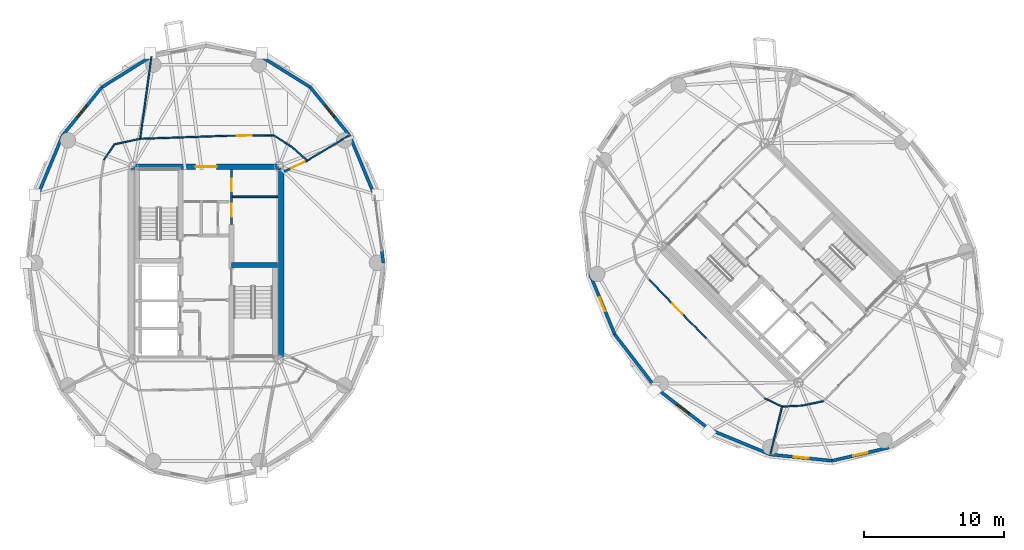
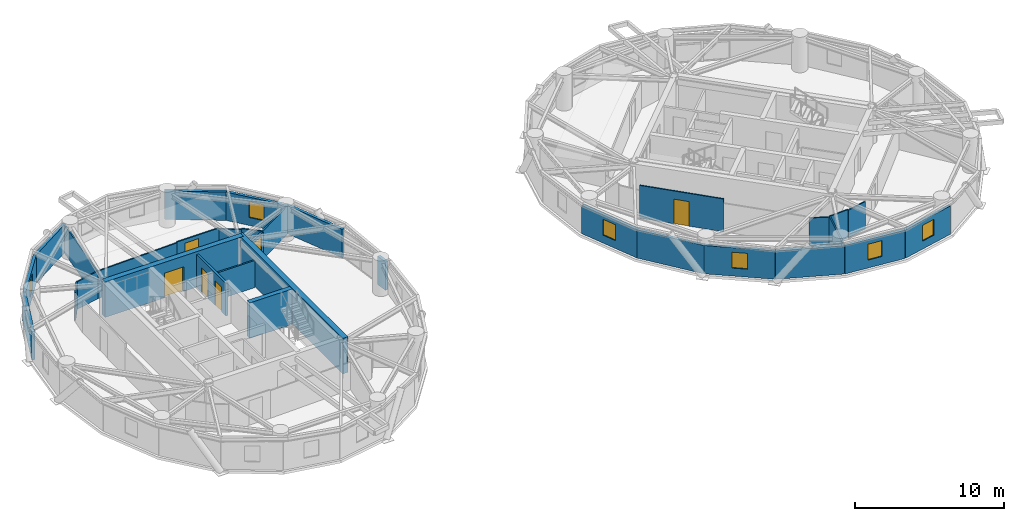
# One storey, part 9 of 14: 32 walls, 6 doors, 6 windows, 12 openings.
"""IFC4 building model written with IfcOpenShell, lengths in metres."""

from ifc_helpers import new_model, si_unit, direction, frame, frame_2d, origin, place, context, subcontext, project, spatial, rectangle, extrude, source, transform, mapped, material, layer, layer_set, type_object, element, fill, save


model = new_model("IFC4")

# Units and contexts
model_context = context("Model", 3, precision=1e-05, world=origin(), true_north=direction((0.0, 1.0)))
body_context = subcontext(model_context, "Body", "Model", "MODEL_VIEW")
ifc_project = project(units=[si_unit("LENGTHUNIT", "METRE"), si_unit("AREAUNIT", "SQUARE_METRE"), si_unit("VOLUMEUNIT", "CUBIC_METRE"), si_unit("PLANEANGLEUNIT", "RADIAN"), si_unit("MASSUNIT", "GRAM", prefix="KILO")], contexts=[model_context])

# Site, building, storey
site_placement = place(None, origin())
site = spatial("IfcSite", under=ifc_project, at=site_placement, CompositionType="ELEMENT")
building_placement = place(site_placement, origin())
building = spatial("IfcBuilding", under=site, at=building_placement, Name="Cununo Teusaquillo Station Towers", CompositionType="ELEMENT")
storey_placement = place(building_placement, frame((0.0, 0.0, 202.47998046875)))
storey = spatial("IfcBuildingStorey", under=building, at=storey_placement, Name="L64", CompositionType="ELEMENT", Elevation=202.47998046875)

# Walls
ifc_material_1 = material(Name="Concrete C50/60", Category="concrete")
ifc_layer_1 = layer(ifc_material_1, 0.35009765625)
ifc_layer_set_1 = layer_set([ifc_layer_1], Name="Concrete C50/60")
wall_type_1 = type_object("IfcWallType", Name="WL-CORE-350", PredefinedType="SHEAR", material=ifc_layer_set_1)
wall_1_placement = place(storey_placement, frame((18.31494140625, 24.344970703125, 0.0), z_axis=(0.0, 0.0, 1.0), x_axis=(1.0, 0.0, 0.0)))
element("IfcWall", 1, at=wall_1_placement, inside=storey, type_object=wall_type_1, Name="L64 Tower A Core Shear Wall ST2N", PredefinedType="SHEAR", context=body_context, shape_type="SweptSolid", body=[
    extrude(rectangle(XDim=3.28515625, YDim=0.35009765625, at=frame_2d((1.642578125, 0.0))), origin(), (0.0, 0.0, 1.0), 2.909912109375),
])
ifc_material_2 = material(Name="Concrete C50/60", Category="concrete")
ifc_layer_2 = layer(ifc_material_2, 0.39990234375)
ifc_layer_set_2 = layer_set([ifc_layer_2], Name="Concrete C50/60")
wall_type_2 = type_object("IfcWallType", Name="WL-CORE-400", PredefinedType="SHEAR", material=ifc_layer_set_2)
wall_2_placement = place(storey_placement, frame((21.85009765625, 17.449951171875, 0.0), z_axis=(0.0, 0.0, 1.0), x_axis=(0.0, 1.0, 0.0)))
element("IfcWall", 2, at=wall_2_placement, inside=storey, type_object=wall_type_2, Name="L64 Tower A Core Shear Wall E", PredefinedType="SHEAR", context=body_context, shape_type="SweptSolid", body=[
    extrude(rectangle(XDim=14.10009765625, YDim=0.39990234375, at=frame_2d((7.050048828125, 0.0))), origin(), (0.0, 0.0, 1.0), 2.909912109375),
])

# Wall, opening, door
wall_3_placement = place(storey_placement, frame((11.14990234375, 31.35009765625, 0.0), z_axis=(0.0, 0.0, 1.0), x_axis=(1.0, 0.0, 0.0)))
wall_3 = element("IfcWall", 3, at=wall_3_placement, inside=storey, type_object=wall_type_2, Name="L64 Tower A Core Shear Wall N", PredefinedType="SHEAR", context=body_context, shape_type="SweptSolid", body=[
    extrude(rectangle(XDim=10.7001953125, YDim=0.39990234375, at=frame_2d((5.35009765625, 0.0))), origin(), (0.0, 0.0, 1.0), 2.909912109375),
])
shared_shape_1 = source(origin(), body_context, "Body", "SweptSolid", [
    extrude(rectangle(XDim=1.5, YDim=2.02001953125, at=frame_2d((0.75, 1.010009765625))), frame((0.0, 0.2099609375, 0.0), z_axis=(0.0, -1.0, 0.0), x_axis=(1.0, 0.0, 0.0)), (0.0, 0.0, 1.0), 0.419921875),
])
opening_1_placement = place(wall_3_placement, frame((4.60009765625, 0.0, 0.0)))
opening_1 = element("IfcOpeningElement", 4, at=opening_1_placement, cuts=wall_3, Name="Opening D-LB1", PredefinedType="OPENING", context=body_context, shape_type="MappedRepresentation", body=[
    mapped(shared_shape_1, transform((0.0, 0.0, 0.0), x_axis=(1.0, 0.0, 0.0), y_axis=(0.0, 1.0, 0.0), z_axis=(0.0, 0.0, 1.0), scale=1.0)),
])
ifc_material_3 = material(Name="Galvanised fire-rated hollow steel door assembly", Category="steel")
door_type_1 = type_object("IfcDoorType", Name="DR-LOBBY-1500", OperationType="DOUBLE_DOOR_SINGLE_SWING", PredefinedType="DOOR", material=ifc_material_3)
shared_shape_2 = source(origin(), body_context, "Body", "SweptSolid", [
    extrude(rectangle(XDim=1.5, YDim=2.02001953125, at=frame_2d((0.75, 1.010009765625))), frame((0.0, 0.02490234375, 0.0), z_axis=(0.0, -1.0, 0.0), x_axis=(1.0, 0.0, 0.0)), (0.0, 0.0, 1.0), 0.050048828125),
])
door_1_placement = place(opening_1_placement, origin())
door_1 = element("IfcDoor", 5, at=door_1_placement, inside=storey, type_object=door_type_1, Name="L64 Tower A North Core Lift Lobby Door", OperationType="DOUBLE_DOOR_SINGLE_SWING", OverallHeight=2.02001953125, OverallWidth=1.5, PredefinedType="DOOR", context=body_context, shape_type="MappedRepresentation", body=[
    mapped(shared_shape_2, transform((0.0, 0.0, 0.0), x_axis=(1.0, 0.0, 0.0), y_axis=(0.0, 1.0, 0.0), z_axis=(0.0, 0.0, 1.0), scale=1.0)),
])
fill(opening_1, door_1)

# Walls
ifc_material_4 = material(Name="Precast concrete C40/50", Category="concrete")
ifc_layer_3 = layer(ifc_material_4, 0.219970703125)
ifc_layer_set_3 = layer_set([ifc_layer_3], Name="Precast concrete C40/50")
wall_type_3 = type_object("IfcWallType", Name="WL-EXT-220", PredefinedType="SOLIDWALL", material=ifc_layer_set_3)
wall_4_placement = place(storey_placement, frame((29.018310546875, 25.36279296875, 0.0), z_axis=(0.0, 0.0, 1.0), x_axis=(0.128247365719, -0.991742211054, 0.0)))
element("IfcWall", 6, at=wall_4_placement, inside=storey, type_object=wall_type_3, Name="L64 Tower A Column Pier Cladding Wall C00-PB", PredefinedType="SOLIDWALL", context=body_context, shape_type="SweptSolid", body=[
    extrude(rectangle(XDim=0.869873046875, YDim=0.219970703125, at=frame_2d((0.43505859375, 0.0))), origin(), (0.0, 0.0, 1.0), 2.322021484375),
])
wall_5_placement = place(storey_placement, frame((26.718017578125, 33.593017578125, 0.0), z_axis=(0.0, 0.0, 1.0), x_axis=(0.384036305194, -0.923317993052, 0.0)))
element("IfcWall", 7, at=wall_5_placement, inside=storey, type_object=wall_type_3, Name="L64 Tower A Exterior Facade Wall C01", PredefinedType="SOLIDWALL", context=body_context, shape_type="SweptSolid", body=[
    extrude(rectangle(XDim=4.670654296875, YDim=0.219970703125, at=frame_2d((2.33544921875, 0.0))), origin(), (0.0, 0.0, 1.0), 2.322021484375),
])

# Wall, opening, window
wall_6_placement = place(storey_placement, frame((23.923583984375, 37.015380859375, 0.0), z_axis=(0.0, 0.0, 1.0), x_axis=(0.632467166636, -0.774587169483, 0.0)))
wall_6 = element("IfcWall", 8, at=wall_6_placement, inside=storey, type_object=wall_type_3, Name="L64 Tower A Exterior Facade Wall C02", PredefinedType="SOLIDWALL", context=body_context, shape_type="SweptSolid", body=[
    extrude(rectangle(XDim=4.418212890625, YDim=0.219970703125, at=frame_2d((2.208984375, 0.0))), origin(), (0.0, 0.0, 1.0), 2.322021484375),
])
shared_shape_3 = source(origin(), body_context, "Body", "SweptSolid", [
    extrude(rectangle(XDim=1.050048828125, YDim=1.300048828125, at=frame_2d((0.52490234375, 0.64990234375))), frame((0.0, 0.119873046875, 0.0), z_axis=(0.0, -1.0, 0.0), x_axis=(1.0, 0.0, 0.0)), (0.0, 0.0, 1.0), 0.239990234375),
])
opening_2_placement = place(wall_6_placement, frame((1.68408203125, 0.0, 0.64990234375)))
opening_2 = element("IfcOpeningElement", 9, at=opening_2_placement, cuts=wall_6, Name="Opening WN-04", PredefinedType="OPENING", context=body_context, shape_type="MappedRepresentation", body=[
    mapped(shared_shape_3, transform((0.0, 0.0, 0.0), x_axis=(1.0, 0.0, 0.0), y_axis=(0.0, 1.0, 0.0), z_axis=(0.0, 0.0, 1.0), scale=1.0)),
])
ifc_material_5 = material(Name="Operable acoustic tinted low-E double glazing", Category="glass")
window_type = type_object("IfcWindowType", Name="WIN-BAL-1050", PartitioningType="SINGLE_PANEL", PredefinedType="WINDOW", material=ifc_material_5)
shared_shape_4 = source(origin(), body_context, "Body", "SweptSolid", [
    extrude(rectangle(XDim=1.050048828125, YDim=1.300048828125, at=frame_2d((0.52490234375, 0.64990234375))), frame((0.0, 0.030029296875, 0.0), z_axis=(0.0, -1.0, 0.0), x_axis=(1.0, 0.0, 0.0)), (0.0, 0.0, 1.0), 0.06005859375),
])
window_1_placement = place(opening_2_placement, origin())
window_1 = element("IfcWindow", 10, at=window_1_placement, inside=storey, type_object=window_type, Name="L64 Tower A Facade Window C02", OverallHeight=1.300048828125, OverallWidth=1.050048828125, PartitioningType="SINGLE_PANEL", PredefinedType="WINDOW", context=body_context, shape_type="MappedRepresentation", body=[
    mapped(shared_shape_4, transform((0.0, 0.0, 0.0), x_axis=(1.0, 0.0, 0.0), y_axis=(0.0, 1.0, 0.0), z_axis=(0.0, 0.0, 1.0), scale=1.0)),
])
fill(opening_2, window_1)

# Walls
for number, where, z_axis, x_axis, name in (
    (11, (20.40283203125, 39.212890625, 0.0), (0.0, 0.0, 1.0), (0.848318713376, -0.529485939886, 0.0), "L64 Tower A Exterior Facade Wall C03"),
    (12, (9.076416015625, 37.015380859375, 0.0), (0.0, 0.0, 1.0), (0.848318713376, 0.529485939886, 0.0), "L64 Tower A Exterior Facade Wall C06"),
):
    element("IfcWall", number, at=place(storey_placement, frame(where, z_axis=z_axis, x_axis=x_axis)), inside=storey, type_object=wall_type_3, Name=name, PredefinedType="SOLIDWALL", context=body_context, shape_type="SweptSolid", body=[
        extrude(rectangle(XDim=4.150390625, YDim=0.219970703125, at=frame_2d((2.0751953125, 0.0))), origin(), (0.0, 0.0, 1.0), 2.322021484375),
    ])

# Wall, opening, window
wall_7_placement = place(storey_placement, frame((6.281982421875, 33.593017578125, 0.0), z_axis=(0.0, 0.0, 1.0), x_axis=(0.632467166636, 0.774587169483, 0.0)))
wall_7 = element("IfcWall", 13, at=wall_7_placement, inside=storey, type_object=wall_type_3, Name="L64 Tower A Exterior Facade Wall C07", PredefinedType="SOLIDWALL", context=body_context, shape_type="SweptSolid", body=[
    extrude(rectangle(XDim=4.418212890625, YDim=0.219970703125, at=frame_2d((2.208984375, 0.0))), origin(), (0.0, 0.0, 1.0), 2.322021484375),
])
opening_3_placement = place(wall_7_placement, frame((1.68408203125, 0.0, 0.64990234375)))
opening_3 = element("IfcOpeningElement", 14, at=opening_3_placement, cuts=wall_7, Name="Opening WN-04", PredefinedType="OPENING", context=body_context, shape_type="MappedRepresentation", body=[
    mapped(shared_shape_3, transform((0.0, 0.0, 0.0), x_axis=(1.0, 0.0, 0.0), y_axis=(0.0, 1.0, 0.0), z_axis=(0.0, 0.0, 1.0), scale=1.0)),
])
window_2_placement = place(opening_3_placement, origin())
window_2 = element("IfcWindow", 15, at=window_2_placement, inside=storey, type_object=window_type, Name="L64 Tower A Facade Window C07", OverallHeight=1.300048828125, OverallWidth=1.050048828125, PartitioningType="SINGLE_PANEL", PredefinedType="WINDOW", context=body_context, shape_type="MappedRepresentation", body=[
    mapped(shared_shape_4, transform((0.0, 0.0, 0.0), x_axis=(1.0, 0.0, 0.0), y_axis=(0.0, 1.0, 0.0), z_axis=(0.0, 0.0, 1.0), scale=1.0)),
])
fill(opening_3, window_2)

# Wall
wall_8_placement = place(storey_placement, frame((4.48828125, 29.280517578125, 0.0), z_axis=(0.0, 0.0, 1.0), x_axis=(0.384036305194, 0.923317993052, 0.0)))
element("IfcWall", 16, at=wall_8_placement, inside=storey, type_object=wall_type_3, Name="L64 Tower A Exterior Facade Wall C08", PredefinedType="SOLIDWALL", context=body_context, shape_type="SweptSolid", body=[
    extrude(rectangle(XDim=4.670654296875, YDim=0.219970703125, at=frame_2d((2.33544921875, 0.0))), origin(), (0.0, 0.0, 1.0), 2.322021484375),
])

# Wall, opening, window
wall_9_placement = place(storey_placement, frame((45.626220703125, 19.38671875, 0.0), z_axis=(0.0, 0.0, 1.0), x_axis=(-0.381309704956, 0.924447353237, 0.0)))
wall_9 = element("IfcWall", 17, at=wall_9_placement, inside=storey, type_object=wall_type_3, Name="L64 Tower B Exterior Facade Wall C08", PredefinedType="SOLIDWALL", context=body_context, shape_type="SweptSolid", body=[
    extrude(rectangle(XDim=4.670654296875, YDim=0.219970703125, at=frame_2d((2.33544921875, 0.0))), origin(), (0.0, 0.0, 1.0), 2.322021484375),
])
opening_4_placement = place(wall_9_placement, frame((1.81005859375, 0.0, 0.64990234375)))
opening_4 = element("IfcOpeningElement", 18, at=opening_4_placement, cuts=wall_9, Name="Opening WN-04", PredefinedType="OPENING", context=body_context, shape_type="MappedRepresentation", body=[
    mapped(shared_shape_3, transform((0.0, 0.0, 0.0), x_axis=(1.0, 0.0, 0.0), y_axis=(0.0, 1.0, 0.0), z_axis=(0.0, 0.0, 1.0), scale=1.0)),
])
window_3_placement = place(opening_4_placement, origin())
window_3 = element("IfcWindow", 19, at=window_3_placement, inside=storey, type_object=window_type, Name="L64 Tower B Facade Window C08", OverallHeight=1.300048828125, OverallWidth=1.050048828125, PartitioningType="SINGLE_PANEL", PredefinedType="WINDOW", context=body_context, shape_type="MappedRepresentation", body=[
    mapped(shared_shape_4, transform((0.0, 0.0, 0.0), x_axis=(1.0, 0.0, 0.0), y_axis=(0.0, 1.0, 0.0), z_axis=(0.0, 0.0, 1.0), scale=1.0)),
])
fill(opening_4, window_3)

# Wall
wall_10_placement = place(storey_placement, frame((48.569091796875, 15.569091796875, 0.0), z_axis=(0.0, 0.0, 1.0), x_axis=(-0.610523083886, 0.791998462147, 0.0)))
element("IfcWall", 20, at=wall_10_placement, inside=storey, type_object=wall_type_3, Name="L64 Tower B Exterior Facade Wall C09", PredefinedType="SOLIDWALL", context=body_context, shape_type="SweptSolid", body=[
    extrude(rectangle(XDim=4.8203125, YDim=0.219970703125, at=frame_2d((2.41015625, 0.0))), origin(), (0.0, 0.0, 1.0), 2.322021484375),
])

# Wall, opening, window
wall_11_placement = place(storey_placement, frame((52.38671875, 12.626220703125, 0.0), z_axis=(0.0, 0.0, 1.0), x_axis=(-0.791998462147, 0.610523083886, 0.0)))
wall_11 = element("IfcWall", 21, at=wall_11_placement, inside=storey, type_object=wall_type_3, Name="L64 Tower B Exterior Facade Wall C10", PredefinedType="SOLIDWALL", context=body_context, shape_type="SweptSolid", body=[
    extrude(rectangle(XDim=4.8203125, YDim=0.219970703125, at=frame_2d((2.41015625, 0.0))), origin(), (0.0, 0.0, 1.0), 2.322021484375),
])
opening_5_placement = place(wall_11_placement, frame((1.885009765625, 0.0, 0.64990234375)))
opening_5 = element("IfcOpeningElement", 22, at=opening_5_placement, cuts=wall_11, Name="Opening WN-04", PredefinedType="OPENING", context=body_context, shape_type="MappedRepresentation", body=[
    mapped(shared_shape_3, transform((0.0, 0.0, 0.0), x_axis=(1.0, 0.0, 0.0), y_axis=(0.0, 1.0, 0.0), z_axis=(0.0, 0.0, 1.0), scale=1.0)),
])
window_4_placement = place(opening_5_placement, origin())
window_4 = element("IfcWindow", 23, at=window_4_placement, inside=storey, type_object=window_type, Name="L64 Tower B Facade Window C10", OverallHeight=1.300048828125, OverallWidth=1.050048828125, PartitioningType="SINGLE_PANEL", PredefinedType="WINDOW", context=body_context, shape_type="MappedRepresentation", body=[
    mapped(shared_shape_4, transform((0.0, 0.0, 0.0), x_axis=(1.0, 0.0, 0.0), y_axis=(0.0, 1.0, 0.0), z_axis=(0.0, 0.0, 1.0), scale=1.0)),
])
fill(opening_5, window_4)

# Wall
wall_12_placement = place(storey_placement, frame((56.70458984375, 10.84521484375, 0.0), z_axis=(0.0, 0.0, 1.0), x_axis=(-0.924447353237, 0.381309704956, 0.0)))
element("IfcWall", 24, at=wall_12_placement, inside=storey, type_object=wall_type_3, Name="L64 Tower B Exterior Facade Wall C11", PredefinedType="SOLIDWALL", context=body_context, shape_type="SweptSolid", body=[
    extrude(rectangle(XDim=4.670654296875, YDim=0.219970703125, at=frame_2d((2.33544921875, 0.0))), origin(), (0.0, 0.0, 1.0), 2.322021484375),
])

# Wall, opening, window
wall_13_placement = place(storey_placement, frame((61.100341796875, 10.40087890625, 0.0), z_axis=(0.0, 0.0, 1.0), x_axis=(-0.994929930991, 0.100570534541, 0.0)))
wall_13 = element("IfcWall", 25, at=wall_13_placement, inside=storey, type_object=wall_type_3, Name="L64 Tower B Exterior Facade Wall C12", PredefinedType="SOLIDWALL", context=body_context, shape_type="SweptSolid", body=[
    extrude(rectangle(XDim=4.418212890625, YDim=0.219970703125, at=frame_2d((2.208984375, 0.0))), origin(), (0.0, 0.0, 1.0), 2.322021484375),
])
opening_6_placement = place(wall_13_placement, frame((1.68408203125, 0.0, 0.64990234375)))
opening_6 = element("IfcOpeningElement", 26, at=opening_6_placement, cuts=wall_13, Name="Opening WN-04", PredefinedType="OPENING", context=body_context, shape_type="MappedRepresentation", body=[
    mapped(shared_shape_3, transform((0.0, 0.0, 0.0), x_axis=(1.0, 0.0, 0.0), y_axis=(0.0, 1.0, 0.0), z_axis=(0.0, 0.0, 1.0), scale=1.0)),
])
window_5_placement = place(opening_6_placement, origin())
window_5 = element("IfcWindow", 27, at=window_5_placement, inside=storey, type_object=window_type, Name="L64 Tower B Facade Window C12", OverallHeight=1.300048828125, OverallWidth=1.050048828125, PartitioningType="SINGLE_PANEL", PredefinedType="WINDOW", context=body_context, shape_type="MappedRepresentation", body=[
    mapped(shared_shape_4, transform((0.0, 0.0, 0.0), x_axis=(1.0, 0.0, 0.0), y_axis=(0.0, 1.0, 0.0), z_axis=(0.0, 0.0, 1.0), scale=1.0)),
])
fill(opening_6, window_5)

wall_14_placement = place(storey_placement, frame((65.143798828125, 11.336669921875, 0.0), z_axis=(0.0, 0.0, 1.0), x_axis=(-0.974249228678, -0.225473813158, 0.0)))
wall_14 = element("IfcWall", 28, at=wall_14_placement, inside=storey, type_object=wall_type_3, Name="L64 Tower B Exterior Facade Wall C13", PredefinedType="SOLIDWALL", context=body_context, shape_type="SweptSolid", body=[
    extrude(rectangle(XDim=4.150390625, YDim=0.219970703125, at=frame_2d((2.0751953125, 0.0))), origin(), (0.0, 0.0, 1.0), 2.322021484375),
])
opening_7_placement = place(wall_14_placement, frame((1.550048828125, 0.0, 0.64990234375)))
opening_7 = element("IfcOpeningElement", 29, at=opening_7_placement, cuts=wall_14, Name="Opening WN-04", PredefinedType="OPENING", context=body_context, shape_type="MappedRepresentation", body=[
    mapped(shared_shape_3, transform((0.0, 0.0, 0.0), x_axis=(1.0, 0.0, 0.0), y_axis=(0.0, 1.0, 0.0), z_axis=(0.0, 0.0, 1.0), scale=1.0)),
])
window_6_placement = place(opening_7_placement, origin())
window_6 = element("IfcWindow", 30, at=window_6_placement, inside=storey, type_object=window_type, Name="L64 Tower B Facade Window C13", OverallHeight=1.300048828125, OverallWidth=1.050048828125, PartitioningType="SINGLE_PANEL", PredefinedType="WINDOW", context=body_context, shape_type="MappedRepresentation", body=[
    mapped(shared_shape_4, transform((0.0, 0.0, 0.0), x_axis=(1.0, 0.0, 0.0), y_axis=(0.0, 1.0, 0.0), z_axis=(0.0, 0.0, 1.0), scale=1.0)),
])
fill(opening_7, window_6)

# Walls
ifc_material_6 = material(Name="Fire-rated gypsum plasterboard partition assembly", Category="gypsum")
ifc_layer_4 = layer(ifc_material_6, 0.10009765625)
ifc_layer_set_4 = layer_set([ifc_layer_4], Name="Fire-rated gypsum plasterboard partition assembly")
wall_type_4 = type_object("IfcWallType", Name="WL-PART-100", PredefinedType="MOVABLE", material=ifc_layer_set_4)
wall_15_placement = place(storey_placement, frame((23.701416015625, 31.78564453125, 0.0), z_axis=(0.0, 0.0, 1.0), x_axis=(-0.743742806382, 0.668465883913, 0.0)))
element("IfcWall", 31, at=wall_15_placement, inside=storey, type_object=wall_type_4, Name="L64 Tower A Corridor Ring Wall C02", PredefinedType="MOVABLE", context=body_context, shape_type="SweptSolid", body=[
    extrude(rectangle(XDim=1.43359375, YDim=0.10009765625, at=frame_2d((0.716796875, 0.0))), origin(), (0.0, 0.0, 1.0), 2.322021484375),
])
wall_16_placement = place(storey_placement, frame((22.63525390625, 32.743896484375, 0.0), z_axis=(0.0, 0.0, 1.0), x_axis=(-0.840119270642, 0.542401706391, 0.0)))
element("IfcWall", 32, at=wall_16_placement, inside=storey, type_object=wall_type_4, Name="L64 Tower A Corridor Ring Wall C03", PredefinedType="MOVABLE", context=body_context, shape_type="SweptSolid", body=[
    extrude(rectangle(XDim=1.53759765625, YDim=0.10009765625, at=frame_2d((0.768798828125, 0.0))), origin(), (0.0, 0.0, 1.0), 2.255126953125),
])

# Wall, opening, door
wall_17_placement = place(storey_placement, frame((21.343505859375, 33.577880859375, 0.0), z_axis=(0.0, 0.0, 1.0), x_axis=(-0.999984243152, -0.005613684, 0.0)))
wall_17 = element("IfcWall", 33, at=wall_17_placement, inside=storey, type_object=wall_type_4, Name="L64 Tower A Corridor Ring Wall C04", PredefinedType="MOVABLE", context=body_context, shape_type="SweptSolid", body=[
    extrude(rectangle(XDim=3.26171875, YDim=0.10009765625, at=frame_2d((1.630859375, 0.0))), origin(), (0.0, 0.0, 1.0), 2.322021484375),
])
shared_shape_5 = source(origin(), body_context, "Body", "SweptSolid", [
    extrude(rectangle(XDim=1.050048828125, YDim=2.014892578125, at=frame_2d((0.52490234375, 1.00732421875))), frame((0.0, 0.06005859375, 0.0), z_axis=(0.0, -1.0, 0.0), x_axis=(1.0, 0.0, 0.0)), (0.0, 0.0, 1.0), 0.1201171875),
])
opening_8_placement = place(wall_17_placement, frame((1.598876953125, 0.0, 0.0)))
opening_8 = element("IfcOpeningElement", 34, at=opening_8_placement, cuts=wall_17, Name="Opening D-SU1", PredefinedType="OPENING", context=body_context, shape_type="MappedRepresentation", body=[
    mapped(shared_shape_5, transform((0.0, 0.0, 0.0), x_axis=(1.0, 0.0, 0.0), y_axis=(0.0, 1.0, 0.0), z_axis=(0.0, 0.0, 1.0), scale=1.0)),
])
ifc_material_7 = material(Name="Acoustic solid-core hardwood leaf assembly", Category="wood")
door_type_2 = type_object("IfcDoorType", Name="DR-SUITE-1050", OperationType="NOTDEFINED", PredefinedType="DOOR", material=ifc_material_7)
shared_shape_6 = source(origin(), body_context, "Body", "SweptSolid", [
    extrude(rectangle(XDim=1.050048828125, YDim=2.014892578125, at=frame_2d((0.52490234375, 1.00732421875))), frame((0.0, 0.02490234375, 0.0), z_axis=(0.0, -1.0, 0.0), x_axis=(1.0, 0.0, 0.0)), (0.0, 0.0, 1.0), 0.050048828125),
])
door_2_placement = place(opening_8_placement, origin())
door_2 = element("IfcDoor", 35, at=door_2_placement, inside=storey, type_object=door_type_2, Name="L64 Tower A Family Office Investment Landscape Hall Entrance Door", OperationType="SINGLE_SWING_LEFT", OverallHeight=2.014892578125, OverallWidth=1.050048828125, PredefinedType="DOOR", context=body_context, shape_type="MappedRepresentation", body=[
    mapped(shared_shape_6, transform((0.0, 0.0, 0.0), x_axis=(1.0, 0.0, 0.0), y_axis=(0.0, 1.0, 0.0), z_axis=(0.0, 0.0, 1.0), scale=1.0)),
])
fill(opening_8, door_2)

# Walls
wall_18_placement = place(storey_placement, frame((18.081787109375, 33.5595703125, 0.0), z_axis=(0.0, 0.0, 1.0), x_axis=(-0.999399009709, -0.034664382185, 0.0)))
element("IfcWall", 36, at=wall_18_placement, inside=storey, type_object=wall_type_4, Name="L64 Tower A Corridor Ring Wall C05", PredefinedType="MOVABLE", context=body_context, shape_type="SweptSolid", body=[
    extrude(rectangle(XDim=6.2822265625, YDim=0.10009765625, at=frame_2d((3.14111328125, 0.0))), origin(), (0.0, 0.0, 1.0), 2.255126953125),
])
wall_19_placement = place(storey_placement, frame((11.80322265625, 33.341796875, 0.0), z_axis=(0.0, 0.0, 1.0), x_axis=(-0.977750742783, -0.209770076483, 0.0)))
element("IfcWall", 37, at=wall_19_placement, inside=storey, type_object=wall_type_4, Name="L64 Tower A Corridor Ring Wall C06", PredefinedType="MOVABLE", context=body_context, shape_type="SweptSolid", body=[
    extrude(rectangle(XDim=1.867919921875, YDim=0.10009765625, at=frame_2d((0.93408203125, 0.0))), origin(), (0.0, 0.0, 1.0), 2.255126953125),
])
wall_20_placement = place(storey_placement, frame((9.976806640625, 32.949951171875, 0.0), z_axis=(0.0, 0.0, 1.0), x_axis=(-0.563291804539, -0.826258036535, 0.0)))
element("IfcWall", 38, at=wall_20_placement, inside=storey, type_object=wall_type_4, Name="L64 Tower A Corridor Ring Wall C07", PredefinedType="MOVABLE", context=body_context, shape_type="SweptSolid", body=[
    extrude(rectangle(XDim=1.34619140625, YDim=0.10009765625, at=frame_2d((0.673095703125, 0.0))), origin(), (0.0, 0.0, 1.0), 2.322021484375),
])
wall_21_placement = place(storey_placement, frame((23.701416015625, 31.78564453125, 0.0), z_axis=(0.0, 0.0, 1.0), x_axis=(0.858059206709, 0.513550774298, 0.0)))
element("IfcWall", 39, at=wall_21_placement, inside=storey, type_object=wall_type_4, Name="L64 Tower A Radial Suite Partition R01", PredefinedType="MOVABLE", context=body_context, shape_type="SweptSolid", body=[
    extrude(rectangle(XDim=3.49658203125, YDim=0.10009765625, at=frame_2d((1.748291015625, 0.0))), origin(), (0.0, 0.0, 1.0), 2.322021484375),
])
wall_22_placement = place(storey_placement, frame((11.80322265625, 33.341796875, 0.0), z_axis=(0.0, 0.0, 1.0), x_axis=(0.135452591041, 0.990783828885, 0.0)))
element("IfcWall", 40, at=wall_22_placement, inside=storey, type_object=wall_type_4, Name="L64 Tower A Radial Suite Partition R02", PredefinedType="MOVABLE", context=body_context, shape_type="SweptSolid", body=[
    extrude(rectangle(XDim=5.906494140625, YDim=0.10009765625, at=frame_2d((2.953125, 0.0))), origin(), (0.0, 0.0, 1.0), 2.322021484375),
])

# Wall, opening, door
wall_23_placement = place(storey_placement, frame((48.051513671875, 23.32275390625, 0.0), z_axis=(0.0, 0.0, 1.0), x_axis=(0.696573981306, -0.717484974454, 0.0)))
wall_23 = element("IfcWall", 41, at=wall_23_placement, inside=storey, type_object=wall_type_4, Name="L64 Tower B Corridor Ring Wall C09", PredefinedType="MOVABLE", context=body_context, shape_type="SweptSolid", body=[
    extrude(rectangle(XDim=5.849365234375, YDim=0.10009765625, at=frame_2d((2.9248046875, 0.0))), origin(), (0.0, 0.0, 1.0), 2.68505859375),
])
opening_9_placement = place(wall_23_placement, frame((2.399658203125, 0.0, 0.0)))
opening_9 = element("IfcOpeningElement", 42, at=opening_9_placement, cuts=wall_23, Name="Opening D-SU1", PredefinedType="OPENING", context=body_context, shape_type="MappedRepresentation", body=[
    mapped(shared_shape_5, transform((0.0, 0.0, 0.0), x_axis=(1.0, 0.0, 0.0), y_axis=(0.0, 1.0, 0.0), z_axis=(0.0, 0.0, 1.0), scale=1.0)),
])
door_3_placement = place(opening_9_placement, origin())
door_3 = element("IfcDoor", 43, at=door_3_placement, inside=storey, type_object=door_type_2, Name="L64 Tower B Sovereign Advisory Boardroom Entrance Door", OperationType="SINGLE_SWING_LEFT", OverallHeight=2.014892578125, OverallWidth=1.050048828125, PredefinedType="DOOR", context=body_context, shape_type="MappedRepresentation", body=[
    mapped(shared_shape_6, transform((0.0, 0.0, 0.0), x_axis=(1.0, 0.0, 0.0), y_axis=(0.0, 1.0, 0.0), z_axis=(0.0, 0.0, 1.0), scale=1.0)),
])
fill(opening_9, door_3)

# Walls
wall_24_placement = place(storey_placement, frame((56.29638671875, 14.859130859375, 0.0), z_axis=(0.0, 0.0, 1.0), x_axis=(0.90178292445, -0.432189260823, 0.0)))
element("IfcWall", 44, at=wall_24_placement, inside=storey, type_object=wall_type_4, Name="L64 Tower B Corridor Ring Wall C11", PredefinedType="MOVABLE", context=body_context, shape_type="SweptSolid", body=[
    extrude(rectangle(XDim=1.377197265625, YDim=0.10009765625, at=frame_2d((0.6884765625, 0.0))), origin(), (0.0, 0.0, 1.0), 2.255126953125),
])
wall_25_placement = place(storey_placement, frame((57.538330078125, 14.263916015625, 0.0), z_axis=(0.0, 0.0, 1.0), x_axis=(0.99892990172, 0.046249880546, 0.0)))
element("IfcWall", 45, at=wall_25_placement, inside=storey, type_object=wall_type_4, Name="L64 Tower B Corridor Ring Wall C12", PredefinedType="MOVABLE", context=body_context, shape_type="SweptSolid", body=[
    extrude(rectangle(XDim=1.4462890625, YDim=0.10009765625, at=frame_2d((0.72314453125, 0.0))), origin(), (0.0, 0.0, 1.0), 2.322021484375),
])
wall_26_placement = place(storey_placement, frame((58.983154296875, 14.330810546875, 0.0), z_axis=(0.0, 0.0, 1.0), x_axis=(0.978328007546, 0.207061125397, 0.0)))
element("IfcWall", 46, at=wall_26_placement, inside=storey, type_object=wall_type_4, Name="L64 Tower B Corridor Ring Wall C13", PredefinedType="MOVABLE", context=body_context, shape_type="SweptSolid", body=[
    extrude(rectangle(XDim=1.533935546875, YDim=0.10009765625, at=frame_2d((0.76708984375, 0.0))), origin(), (0.0, 0.0, 1.0), 2.255126953125),
])
wall_27_placement = place(storey_placement, frame((57.538330078125, 14.263916015625, 0.0), z_axis=(0.0, 0.0, 1.0), x_axis=(-0.237377006249, -0.971417601706, 0.0)))
element("IfcWall", 47, at=wall_27_placement, inside=storey, type_object=wall_type_4, Name="L64 Tower B Radial Suite Partition R03", PredefinedType="MOVABLE", context=body_context, shape_type="SweptSolid", body=[
    extrude(rectangle(XDim=3.4990234375, YDim=0.10009765625, at=frame_2d((1.74951171875, 0.0))), origin(), (0.0, 0.0, 1.0), 2.322021484375),
])
ifc_material_8 = material(Name="Fire-rated gypsum plasterboard partition assembly", Category="gypsum")
ifc_layer_5 = layer(ifc_material_8, 0.125)
ifc_layer_set_5 = layer_set([ifc_layer_5], Name="Fire-rated gypsum plasterboard partition assembly")
wall_type_5 = type_object("IfcWallType", Name="WL-PART-125", PredefinedType="PARTITIONING", material=ifc_layer_set_5)
wall_28_placement = place(storey_placement, frame((18.3798828125, 29.219970703125, 0.0), z_axis=(0.0, 0.0, 1.0), x_axis=(1.0, 0.0, 0.0)))
element("IfcWall", 48, at=wall_28_placement, inside=storey, type_object=wall_type_5, Name="L64 Tower A Reclaimed Bay Divider Wall", PredefinedType="PARTITIONING", context=body_context, shape_type="SweptSolid", body=[
    extrude(rectangle(XDim=3.22021484375, YDim=0.125, at=frame_2d((1.610107421875, 0.0))), origin(), (0.0, 0.0, 1.0), 2.221923828125),
])

# Wall, openings, doors
ifc_material_9 = material(Name="Fire-rated gypsum plasterboard partition assembly", Category="gypsum")
ifc_layer_6 = layer(ifc_material_9, 0.159912109375)
ifc_layer_set_6 = layer_set([ifc_layer_6], Name="Fire-rated gypsum plasterboard partition assembly")
wall_type_6 = type_object("IfcWallType", Name="WL-PART-160", PredefinedType="PARTITIONING", material=ifc_layer_set_6)
wall_29_placement = place(storey_placement, frame((18.31494140625, 27.25, 0.0), z_axis=(0.0, 0.0, 1.0), x_axis=(0.0, 1.0, 0.0)))
wall_29 = element("IfcWall", 49, at=wall_29_placement, inside=storey, type_object=wall_type_6, Name="L64 Tower A Reclaimed Core Bay Entry Wall", PredefinedType="PARTITIONING", context=body_context, shape_type="SweptSolid", body=[
    extrude(rectangle(XDim=3.89990234375, YDim=0.159912109375, at=frame_2d((1.949951171875, 0.0))), origin(), (0.0, 0.0, 1.0), 2.68505859375),
])
shared_shape_7 = source(origin(), body_context, "Body", "SweptSolid", [
    extrude(rectangle(XDim=0.89990234375, YDim=2.0048828125, at=frame_2d((0.449951171875, 1.00244140625))), frame((0.0, 0.08984375, 0.0), z_axis=(0.0, -1.0, 0.0), x_axis=(1.0, 0.0, 0.0)), (0.0, 0.0, 1.0), 0.179931640625),
])
opening_10_placement = place(wall_29_placement, frame((0.550048828125, 0.0, 0.0)))
opening_10 = element("IfcOpeningElement", 50, at=opening_10_placement, cuts=wall_29, Name="Opening D-IN1", PredefinedType="OPENING", context=body_context, shape_type="MappedRepresentation", body=[
    mapped(shared_shape_7, transform((0.0, 0.0, 0.0), x_axis=(1.0, 0.0, 0.0), y_axis=(0.0, 1.0, 0.0), z_axis=(0.0, 0.0, 1.0), scale=1.0)),
])
opening_11_placement = place(wall_29_placement, frame((2.35009765625, 0.0, 0.0)))
opening_11 = element("IfcOpeningElement", 51, at=opening_11_placement, cuts=wall_29, Name="Opening D-IN1", PredefinedType="OPENING", context=body_context, shape_type="MappedRepresentation", body=[
    mapped(shared_shape_7, transform((0.0, 0.0, 0.0), x_axis=(1.0, 0.0, 0.0), y_axis=(0.0, 1.0, 0.0), z_axis=(0.0, 0.0, 1.0), scale=1.0)),
])
ifc_material_10 = material(Name="Acoustic solid-core hardwood leaf assembly", Category="wood")
door_type_3 = type_object("IfcDoorType", Name="DR-INT-900", OperationType="NOTDEFINED", PredefinedType="DOOR", material=ifc_material_10)
shared_shape_8 = source(origin(), body_context, "Body", "SweptSolid", [
    extrude(rectangle(XDim=0.89990234375, YDim=2.0048828125, at=frame_2d((0.449951171875, 1.00244140625))), frame((0.0, 0.02490234375, 0.0), z_axis=(0.0, -1.0, 0.0), x_axis=(1.0, 0.0, 0.0)), (0.0, 0.0, 1.0), 0.050048828125),
])
door_4_placement = place(opening_10_placement, origin())
door_4 = element("IfcDoor", 52, at=door_4_placement, inside=storey, type_object=door_type_3, Name="L64 Tower A Reclaimed Core Study Door", OperationType="SINGLE_SWING_LEFT", OverallHeight=2.0048828125, OverallWidth=0.89990234375, PredefinedType="DOOR", context=body_context, shape_type="MappedRepresentation", body=[
    mapped(shared_shape_8, transform((0.0, 0.0, 0.0), x_axis=(1.0, 0.0, 0.0), y_axis=(0.0, 1.0, 0.0), z_axis=(0.0, 0.0, 1.0), scale=1.0)),
])
fill(opening_10, door_4)
door_5_placement = place(opening_11_placement, origin())
door_5 = element("IfcDoor", 53, at=door_5_placement, inside=storey, type_object=door_type_3, Name="L64 Tower A Reclaimed Core Pantry Door", OperationType="SINGLE_SWING_RIGHT", OverallHeight=2.0048828125, OverallWidth=0.89990234375, PredefinedType="DOOR", context=body_context, shape_type="MappedRepresentation", body=[
    mapped(shared_shape_8, transform((0.0, 0.0, 0.0), x_axis=(1.0, 0.0, 0.0), y_axis=(0.0, 1.0, 0.0), z_axis=(0.0, 0.0, 1.0), scale=1.0)),
])
fill(opening_11, door_5)

# Wall, opening, door
wall_30_placement = place(storey_placement, frame((22.050048828125, 31.0, 0.0), z_axis=(0.0, 0.0, 1.0), x_axis=(0.903013459407, 0.429612257891, 0.0)))
wall_30 = element("IfcWall", 54, at=wall_30_placement, inside=storey, type_object=wall_type_6, Name="L64 Tower A East Salon Corridor Portal Wall NE", PredefinedType="PARTITIONING", context=body_context, shape_type="SweptSolid", body=[
    extrude(rectangle(XDim=1.82861328125, YDim=0.159912109375, at=frame_2d((0.914306640625, 0.0))), origin(), (0.0, 0.0, 1.0), 2.255126953125),
])
shared_shape_9 = source(origin(), body_context, "Body", "SweptSolid", [
    extrude(rectangle(XDim=1.050048828125, YDim=2.014892578125, at=frame_2d((0.52490234375, 1.00732421875))), frame((0.0, 0.08984375, 0.0), z_axis=(0.0, -1.0, 0.0), x_axis=(1.0, 0.0, 0.0)), (0.0, 0.0, 1.0), 0.179931640625),
])
opening_12_placement = place(wall_30_placement, frame((0.57861328125, 0.0, 0.0)))
opening_12 = element("IfcOpeningElement", 55, at=opening_12_placement, cuts=wall_30, Name="Opening D-SU1", PredefinedType="OPENING", context=body_context, shape_type="MappedRepresentation", body=[
    mapped(shared_shape_9, transform((0.0, 0.0, 0.0), x_axis=(1.0, 0.0, 0.0), y_axis=(0.0, 1.0, 0.0), z_axis=(0.0, 0.0, 1.0), scale=1.0)),
])
door_6_placement = place(opening_12_placement, origin())
door_6 = element("IfcDoor", 56, at=door_6_placement, inside=storey, type_object=door_type_2, Name="L64 Tower A East Panorama Sky Salon Door NE", OperationType="SINGLE_SWING_LEFT", OverallHeight=2.014892578125, OverallWidth=1.050048828125, PredefinedType="DOOR", context=body_context, shape_type="MappedRepresentation", body=[
    mapped(shared_shape_6, transform((0.0, 0.0, 0.0), x_axis=(1.0, 0.0, 0.0), y_axis=(0.0, 1.0, 0.0), z_axis=(0.0, 0.0, 1.0), scale=1.0)),
])
fill(opening_12, door_6)

save(model, "model.ifc")
